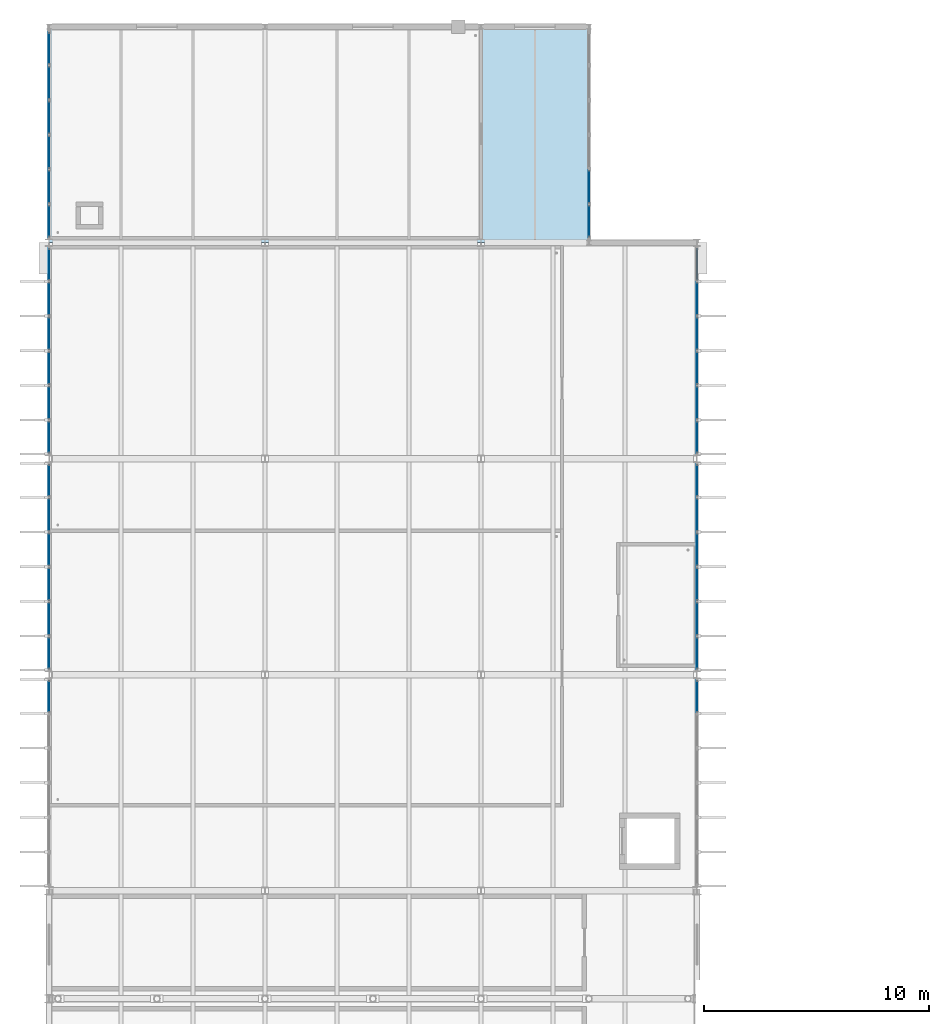
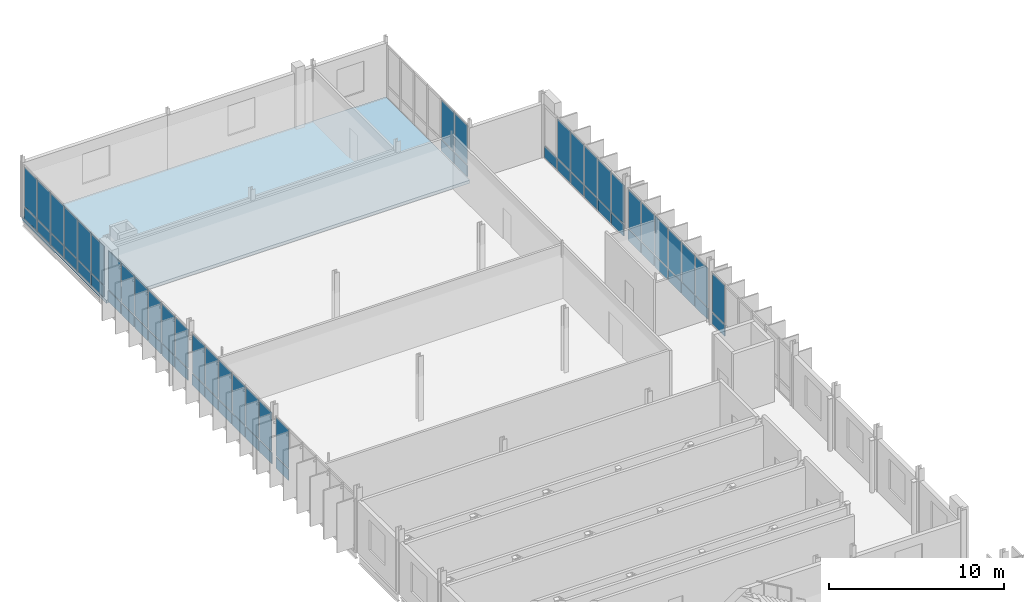
# One storey, part 55 of 110: 67 plates, 1 slab, 8 elements without a shape of their own.
"""IFC4 building model written with IfcOpenShell, lengths in metres."""

from ifc_helpers import new_model, si_unit, direction, frame, origin, origin_2d, place, context, subcontext, project, spatial, polyline, rectangle, outline, extrude, material, layer, layer_set, type_object, element, aggregate, save


model = new_model("IFC4")

# Units and contexts
model_context = context("Model", 3, precision=1e-05, world=origin(), true_north=direction((0.0, 1.0)))
body_context = subcontext(model_context, "Body", "Model", "MODEL_VIEW")
ifc_project = project(units=[si_unit("LENGTHUNIT", "METRE"), si_unit("AREAUNIT", "SQUARE_METRE"), si_unit("VOLUMEUNIT", "CUBIC_METRE"), si_unit("PLANEANGLEUNIT", "RADIAN"), si_unit("MASSUNIT", "GRAM", prefix="KILO")], contexts=[model_context])

# Site, building, storey
site_placement = place(None, origin())
site = spatial("IfcSite", under=ifc_project, at=site_placement, CompositionType="ELEMENT")
building_placement = place(site_placement, origin())
building = spatial("IfcBuilding", under=site, at=building_placement, Name="Dunescarp Central Library", CompositionType="ELEMENT")
storey_placement = place(building_placement, frame((0.0, 0.0, 9.60009765625)))
storey = spatial("IfcBuildingStorey", under=building, at=storey_placement, Name="L02", CompositionType="ELEMENT", Elevation=9.60009765625)

# Curtain wall, plate
ifc_material_1 = material(Name="Marine-grade anodised aluminium 6063-T6", Category="aluminium")
curtain_wall_type = type_object("IfcCurtainWallType", Name="ARC-CW-STICK", PredefinedType="NOTDEFINED", material=ifc_material_1)
curtain_wall_1_placement = place(storey_placement, origin())
curtain_wall_1 = element("IfcCurtainWall", 1, at=curtain_wall_1_placement, inside=storey, type_object=curtain_wall_type, Name="L02 curtain wall CW-V4-124", PredefinedType="NOTDEFINED")
ifc_material_2 = material(Name="Solar-control laminated double glazing", Category="glass")
ifc_layer_1 = layer(ifc_material_2, 0.028076171875)
ifc_layer_set_1 = layer_set([ifc_layer_1], Name="Solar-control laminated double glazing")
plate_type_1 = type_object("IfcPlateType", Name="ARC-PLT-GLZ28", PredefinedType="CURTAIN_PANEL", material=ifc_layer_set_1)
plate_1_placement = place(storey_placement, frame((0.0, 69.43408203125, 0.93994140625), z_axis=(0.0, 0.0, 1.0), x_axis=(0.0, 1.0, 0.0)))
plate_1 = element("IfcPlate", 2, at=plate_1_placement, type_object=plate_type_1, Name="CW-V4-124 panel 6.2", PredefinedType="CURTAIN_PANEL", context=body_context, shape_type="SweptSolid", body=[
    extrude(rectangle(XDim=1.421630859375, YDim=0.028076171875, at=origin_2d()), origin(), (0.0, 0.0, 1.0), 2.681884765625),
])

curtain_wall_2_placement = place(storey_placement, origin())
curtain_wall_2 = element("IfcCurtainWall", 3, at=curtain_wall_2_placement, inside=storey, type_object=curtain_wall_type, Name="L02 curtain wall CW-V4-125", PredefinedType="NOTDEFINED")
plate_2_placement = place(storey_placement, frame((28.800048828125, 69.43408203125, 0.93994140625), z_axis=(0.0, 0.0, 1.0), x_axis=(0.0, -1.0, 0.0)))
plate_2 = element("IfcPlate", 4, at=plate_2_placement, type_object=plate_type_1, Name="CW-V4-125 panel 1.2", PredefinedType="CURTAIN_PANEL", context=body_context, shape_type="SweptSolid", body=[
    extrude(rectangle(XDim=1.421630859375, YDim=0.028076171875, at=origin_2d()), origin(), (0.0, 0.0, 1.0), 2.681884765625),
])

# Curtain wall, plates
curtain_wall_3_placement = place(storey_placement, origin())
curtain_wall_3 = element("IfcCurtainWall", 5, at=curtain_wall_3_placement, inside=storey, type_object=curtain_wall_type, Name="L02 curtain wall CW-V4-126", PredefinedType="NOTDEFINED")
plate_3_placement = place(storey_placement, frame((0.0, 71.36572265625, 0.93994140625), z_axis=(0.0, 0.0, 1.0), x_axis=(0.0, 1.0, 0.0)))
plate_3 = element("IfcPlate", 6, at=plate_3_placement, type_object=plate_type_1, Name="CW-V4-126 panel 1.2", PredefinedType="CURTAIN_PANEL", context=body_context, shape_type="SweptSolid", body=[
    extrude(rectangle(XDim=1.421630859375, YDim=0.028076171875, at=origin_2d()), origin(), (0.0, 0.0, 1.0), 2.715087890625),
])
plate_4_placement = place(storey_placement, frame((0.0, 72.887451171875, 0.93994140625), z_axis=(0.0, 0.0, 1.0), x_axis=(0.0, 1.0, 0.0)))
plate_4 = element("IfcPlate", 7, at=plate_4_placement, type_object=plate_type_1, Name="CW-V4-126 panel 2.2", PredefinedType="CURTAIN_PANEL", context=body_context, shape_type="SweptSolid", body=[
    extrude(rectangle(XDim=1.461669921875, YDim=0.028076171875, at=origin_2d()), origin(), (0.0, 0.0, 1.0), 2.715087890625),
])
plate_5_placement = place(storey_placement, frame((0.0, 74.42919921875, 0.93994140625), z_axis=(0.0, 0.0, 1.0), x_axis=(0.0, 1.0, 0.0)))
plate_5 = element("IfcPlate", 8, at=plate_5_placement, type_object=plate_type_1, Name="CW-V4-126 panel 3.2", PredefinedType="CURTAIN_PANEL", context=body_context, shape_type="SweptSolid", body=[
    extrude(rectangle(XDim=1.461669921875, YDim=0.028076171875, at=origin_2d()), origin(), (0.0, 0.0, 1.0), 2.715087890625),
])
plate_6_placement = place(storey_placement, frame((0.0, 75.970947265625, 0.93994140625), z_axis=(0.0, 0.0, 1.0), x_axis=(0.0, 1.0, 0.0)))
plate_6 = element("IfcPlate", 9, at=plate_6_placement, type_object=plate_type_1, Name="CW-V4-126 panel 4.2", PredefinedType="CURTAIN_PANEL", context=body_context, shape_type="SweptSolid", body=[
    extrude(rectangle(XDim=1.461669921875, YDim=0.028076171875, at=origin_2d()), origin(), (0.0, 0.0, 1.0), 2.715087890625),
])
plate_7_placement = place(storey_placement, frame((0.0, 77.512451171875, 0.93994140625), z_axis=(0.0, 0.0, 1.0), x_axis=(0.0, 1.0, 0.0)))
plate_7 = element("IfcPlate", 10, at=plate_7_placement, type_object=plate_type_1, Name="CW-V4-126 panel 5.2", PredefinedType="CURTAIN_PANEL", context=body_context, shape_type="SweptSolid", body=[
    extrude(rectangle(XDim=1.461669921875, YDim=0.028076171875, at=origin_2d()), origin(), (0.0, 0.0, 1.0), 2.715087890625),
])
plate_8_placement = place(storey_placement, frame((0.0, 79.0341796875, 0.93994140625), z_axis=(0.0, 0.0, 1.0), x_axis=(0.0, 1.0, 0.0)))
plate_8 = element("IfcPlate", 11, at=plate_8_placement, type_object=plate_type_1, Name="CW-V4-126 panel 6.2", PredefinedType="CURTAIN_PANEL", context=body_context, shape_type="SweptSolid", body=[
    extrude(rectangle(XDim=1.421630859375, YDim=0.028076171875, at=origin_2d()), origin(), (0.0, 0.0, 1.0), 2.715087890625),
])

curtain_wall_4_placement = place(storey_placement, origin())
curtain_wall_4 = element("IfcCurtainWall", 12, at=curtain_wall_4_placement, inside=storey, type_object=curtain_wall_type, Name="L02 curtain wall CW-V4-127", PredefinedType="NOTDEFINED")
plate_9_placement = place(storey_placement, frame((28.800048828125, 79.0341796875, 0.93994140625), z_axis=(0.0, 0.0, 1.0), x_axis=(0.0, -1.0, 0.0)))
plate_9 = element("IfcPlate", 13, at=plate_9_placement, type_object=plate_type_1, Name="CW-V4-127 panel 1.2", PredefinedType="CURTAIN_PANEL", context=body_context, shape_type="SweptSolid", body=[
    extrude(rectangle(XDim=1.421630859375, YDim=0.028076171875, at=origin_2d()), origin(), (0.0, 0.0, 1.0), 2.715087890625),
])
plate_10_placement = place(storey_placement, frame((28.800048828125, 77.512451171875, 0.93994140625), z_axis=(0.0, 0.0, 1.0), x_axis=(0.0, -1.0, 0.0)))
plate_10 = element("IfcPlate", 14, at=plate_10_placement, type_object=plate_type_1, Name="CW-V4-127 panel 2.2", PredefinedType="CURTAIN_PANEL", context=body_context, shape_type="SweptSolid", body=[
    extrude(rectangle(XDim=1.461669921875, YDim=0.028076171875, at=origin_2d()), origin(), (0.0, 0.0, 1.0), 2.715087890625),
])
plate_11_placement = place(storey_placement, frame((28.800048828125, 75.970947265625, 0.93994140625), z_axis=(0.0, 0.0, 1.0), x_axis=(0.0, -1.0, 0.0)))
plate_11 = element("IfcPlate", 15, at=plate_11_placement, type_object=plate_type_1, Name="CW-V4-127 panel 3.2", PredefinedType="CURTAIN_PANEL", context=body_context, shape_type="SweptSolid", body=[
    extrude(rectangle(XDim=1.461669921875, YDim=0.028076171875, at=origin_2d()), origin(), (0.0, 0.0, 1.0), 2.715087890625),
])
plate_12_placement = place(storey_placement, frame((28.800048828125, 74.42919921875, 0.93994140625), z_axis=(0.0, 0.0, 1.0), x_axis=(0.0, -1.0, 0.0)))
plate_12 = element("IfcPlate", 16, at=plate_12_placement, type_object=plate_type_1, Name="CW-V4-127 panel 4.2", PredefinedType="CURTAIN_PANEL", context=body_context, shape_type="SweptSolid", body=[
    extrude(rectangle(XDim=1.461669921875, YDim=0.028076171875, at=origin_2d()), origin(), (0.0, 0.0, 1.0), 2.715087890625),
])
plate_13_placement = place(storey_placement, frame((28.800048828125, 72.887451171875, 0.93994140625), z_axis=(0.0, 0.0, 1.0), x_axis=(0.0, -1.0, 0.0)))
plate_13 = element("IfcPlate", 17, at=plate_13_placement, type_object=plate_type_1, Name="CW-V4-127 panel 5.2", PredefinedType="CURTAIN_PANEL", context=body_context, shape_type="SweptSolid", body=[
    extrude(rectangle(XDim=1.461669921875, YDim=0.028076171875, at=origin_2d()), origin(), (0.0, 0.0, 1.0), 2.715087890625),
])
plate_14_placement = place(storey_placement, frame((28.800048828125, 71.36572265625, 0.93994140625), z_axis=(0.0, 0.0, 1.0), x_axis=(0.0, -1.0, 0.0)))
plate_14 = element("IfcPlate", 18, at=plate_14_placement, type_object=plate_type_1, Name="CW-V4-127 panel 6.2", PredefinedType="CURTAIN_PANEL", context=body_context, shape_type="SweptSolid", body=[
    extrude(rectangle(XDim=1.421630859375, YDim=0.028076171875, at=origin_2d()), origin(), (0.0, 0.0, 1.0), 2.715087890625),
])

curtain_wall_5_placement = place(storey_placement, origin())
curtain_wall_5 = element("IfcCurtainWall", 19, at=curtain_wall_5_placement, inside=storey, type_object=curtain_wall_type, Name="L02 curtain wall CW-V4-128", PredefinedType="NOTDEFINED")
plate_15_placement = place(storey_placement, frame((0.0, 80.9658203125, 0.93994140625), z_axis=(0.0, 0.0, 1.0), x_axis=(0.0, 1.0, 0.0)))
plate_15 = element("IfcPlate", 20, at=plate_15_placement, type_object=plate_type_1, Name="CW-V4-128 panel 1.2", PredefinedType="CURTAIN_PANEL", context=body_context, shape_type="SweptSolid", body=[
    extrude(rectangle(XDim=1.421630859375, YDim=0.028076171875, at=origin_2d()), origin(), (0.0, 0.0, 1.0), 2.715087890625),
])
plate_16_placement = place(storey_placement, frame((0.0, 82.487548828125, 0.93994140625), z_axis=(0.0, 0.0, 1.0), x_axis=(0.0, 1.0, 0.0)))
plate_16 = element("IfcPlate", 21, at=plate_16_placement, type_object=plate_type_1, Name="CW-V4-128 panel 2.2", PredefinedType="CURTAIN_PANEL", context=body_context, shape_type="SweptSolid", body=[
    extrude(rectangle(XDim=1.461669921875, YDim=0.028076171875, at=origin_2d()), origin(), (0.0, 0.0, 1.0), 2.715087890625),
])
plate_17_placement = place(storey_placement, frame((0.0, 84.029052734375, 0.93994140625), z_axis=(0.0, 0.0, 1.0), x_axis=(0.0, 1.0, 0.0)))
plate_17 = element("IfcPlate", 22, at=plate_17_placement, type_object=plate_type_1, Name="CW-V4-128 panel 3.2", PredefinedType="CURTAIN_PANEL", context=body_context, shape_type="SweptSolid", body=[
    extrude(rectangle(XDim=1.461669921875, YDim=0.028076171875, at=origin_2d()), origin(), (0.0, 0.0, 1.0), 2.715087890625),
])
plate_18_placement = place(storey_placement, frame((0.0, 85.57080078125, 0.93994140625), z_axis=(0.0, 0.0, 1.0), x_axis=(0.0, 1.0, 0.0)))
plate_18 = element("IfcPlate", 23, at=plate_18_placement, type_object=plate_type_1, Name="CW-V4-128 panel 4.2", PredefinedType="CURTAIN_PANEL", context=body_context, shape_type="SweptSolid", body=[
    extrude(rectangle(XDim=1.461669921875, YDim=0.028076171875, at=origin_2d()), origin(), (0.0, 0.0, 1.0), 2.715087890625),
])
plate_19_placement = place(storey_placement, frame((0.0, 87.112548828125, 0.93994140625), z_axis=(0.0, 0.0, 1.0), x_axis=(0.0, 1.0, 0.0)))
plate_19 = element("IfcPlate", 24, at=plate_19_placement, type_object=plate_type_1, Name="CW-V4-128 panel 5.2", PredefinedType="CURTAIN_PANEL", context=body_context, shape_type="SweptSolid", body=[
    extrude(rectangle(XDim=1.461669921875, YDim=0.028076171875, at=origin_2d()), origin(), (0.0, 0.0, 1.0), 2.715087890625),
])
plate_20_placement = place(storey_placement, frame((0.0, 88.63427734375, 0.93994140625), z_axis=(0.0, 0.0, 1.0), x_axis=(0.0, 1.0, 0.0)))
plate_20 = element("IfcPlate", 25, at=plate_20_placement, type_object=plate_type_1, Name="CW-V4-128 panel 6.2", PredefinedType="CURTAIN_PANEL", context=body_context, shape_type="SweptSolid", body=[
    extrude(rectangle(XDim=1.421630859375, YDim=0.028076171875, at=origin_2d()), origin(), (0.0, 0.0, 1.0), 2.715087890625),
])

curtain_wall_6_placement = place(storey_placement, origin())
curtain_wall_6 = element("IfcCurtainWall", 26, at=curtain_wall_6_placement, inside=storey, type_object=curtain_wall_type, Name="L02 curtain wall CW-V4-129", PredefinedType="NOTDEFINED")
plate_21_placement = place(storey_placement, frame((28.800048828125, 87.112548828125, 0.93994140625), z_axis=(0.0, 0.0, 1.0), x_axis=(0.0, -1.0, 0.0)))
plate_21 = element("IfcPlate", 27, at=plate_21_placement, type_object=plate_type_1, Name="CW-V4-129 panel 2.2", PredefinedType="CURTAIN_PANEL", context=body_context, shape_type="SweptSolid", body=[
    extrude(rectangle(XDim=1.461669921875, YDim=0.028076171875, at=origin_2d()), origin(), (0.0, 0.0, 1.0), 2.715087890625),
])
plate_22_placement = place(storey_placement, frame((28.800048828125, 85.57080078125, 0.93994140625), z_axis=(0.0, 0.0, 1.0), x_axis=(0.0, -1.0, 0.0)))
plate_22 = element("IfcPlate", 28, at=plate_22_placement, type_object=plate_type_1, Name="CW-V4-129 panel 3.2", PredefinedType="CURTAIN_PANEL", context=body_context, shape_type="SweptSolid", body=[
    extrude(rectangle(XDim=1.461669921875, YDim=0.028076171875, at=origin_2d()), origin(), (0.0, 0.0, 1.0), 2.715087890625),
])
plate_23_placement = place(storey_placement, frame((28.800048828125, 84.029052734375, 0.93994140625), z_axis=(0.0, 0.0, 1.0), x_axis=(0.0, -1.0, 0.0)))
plate_23 = element("IfcPlate", 29, at=plate_23_placement, type_object=plate_type_1, Name="CW-V4-129 panel 4.2", PredefinedType="CURTAIN_PANEL", context=body_context, shape_type="SweptSolid", body=[
    extrude(rectangle(XDim=1.461669921875, YDim=0.028076171875, at=origin_2d()), origin(), (0.0, 0.0, 1.0), 2.715087890625),
])
plate_24_placement = place(storey_placement, frame((28.800048828125, 82.487548828125, 0.93994140625), z_axis=(0.0, 0.0, 1.0), x_axis=(0.0, -1.0, 0.0)))
plate_24 = element("IfcPlate", 30, at=plate_24_placement, type_object=plate_type_1, Name="CW-V4-129 panel 5.2", PredefinedType="CURTAIN_PANEL", context=body_context, shape_type="SweptSolid", body=[
    extrude(rectangle(XDim=1.461669921875, YDim=0.028076171875, at=origin_2d()), origin(), (0.0, 0.0, 1.0), 2.715087890625),
])
plate_25_placement = place(storey_placement, frame((28.800048828125, 80.9658203125, 0.93994140625), z_axis=(0.0, 0.0, 1.0), x_axis=(0.0, -1.0, 0.0)))
plate_25 = element("IfcPlate", 31, at=plate_25_placement, type_object=plate_type_1, Name="CW-V4-129 panel 6.2", PredefinedType="CURTAIN_PANEL", context=body_context, shape_type="SweptSolid", body=[
    extrude(rectangle(XDim=1.421630859375, YDim=0.028076171875, at=origin_2d()), origin(), (0.0, 0.0, 1.0), 2.715087890625),
])

curtain_wall_7_placement = place(storey_placement, origin())
curtain_wall_7 = element("IfcCurtainWall", 32, at=curtain_wall_7_placement, inside=storey, type_object=curtain_wall_type, Name="L02 curtain wall CW-V4N-144", PredefinedType="NOTDEFINED")
plate_26_placement = place(storey_placement, frame((0.0, 90.56591796875, 0.93994140625), z_axis=(0.0, 0.0, 1.0), x_axis=(0.0, 1.0, 0.0)))
plate_26 = element("IfcPlate", 33, at=plate_26_placement, type_object=plate_type_1, Name="CW-V4N-144 panel 1.2", PredefinedType="CURTAIN_PANEL", context=body_context, shape_type="SweptSolid", body=[
    extrude(rectangle(XDim=1.421630859375, YDim=0.028076171875, at=origin_2d()), origin(), (0.0, 0.0, 1.0), 2.715087890625),
])
plate_27_placement = place(storey_placement, frame((0.0, 92.08740234375, 0.93994140625), z_axis=(0.0, 0.0, 1.0), x_axis=(0.0, 1.0, 0.0)))
plate_27 = element("IfcPlate", 34, at=plate_27_placement, type_object=plate_type_1, Name="CW-V4N-144 panel 2.2", PredefinedType="CURTAIN_PANEL", context=body_context, shape_type="SweptSolid", body=[
    extrude(rectangle(XDim=1.461669921875, YDim=0.028076171875, at=origin_2d()), origin(), (0.0, 0.0, 1.0), 2.715087890625),
])
plate_28_placement = place(storey_placement, frame((0.0, 93.629150390625, 0.93994140625), z_axis=(0.0, 0.0, 1.0), x_axis=(0.0, 1.0, 0.0)))
plate_28 = element("IfcPlate", 35, at=plate_28_placement, type_object=plate_type_1, Name="CW-V4N-144 panel 3.2", PredefinedType="CURTAIN_PANEL", context=body_context, shape_type="SweptSolid", body=[
    extrude(rectangle(XDim=1.461669921875, YDim=0.028076171875, at=origin_2d()), origin(), (0.0, 0.0, 1.0), 2.715087890625),
])
plate_29_placement = place(storey_placement, frame((0.0, 95.1708984375, 0.93994140625), z_axis=(0.0, 0.0, 1.0), x_axis=(0.0, 1.0, 0.0)))
plate_29 = element("IfcPlate", 36, at=plate_29_placement, type_object=plate_type_1, Name="CW-V4N-144 panel 4.2", PredefinedType="CURTAIN_PANEL", context=body_context, shape_type="SweptSolid", body=[
    extrude(rectangle(XDim=1.461669921875, YDim=0.028076171875, at=origin_2d()), origin(), (0.0, 0.0, 1.0), 2.715087890625),
])
plate_30_placement = place(storey_placement, frame((0.0, 96.71240234375, 0.93994140625), z_axis=(0.0, 0.0, 1.0), x_axis=(0.0, 1.0, 0.0)))
plate_30 = element("IfcPlate", 37, at=plate_30_placement, type_object=plate_type_1, Name="CW-V4N-144 panel 5.2", PredefinedType="CURTAIN_PANEL", context=body_context, shape_type="SweptSolid", body=[
    extrude(rectangle(XDim=1.461669921875, YDim=0.028076171875, at=origin_2d()), origin(), (0.0, 0.0, 1.0), 2.715087890625),
])
plate_31_placement = place(storey_placement, frame((0.0, 98.234130859375, 0.93994140625), z_axis=(0.0, 0.0, 1.0), x_axis=(0.0, 1.0, 0.0)))
plate_31 = element("IfcPlate", 38, at=plate_31_placement, type_object=plate_type_1, Name="CW-V4N-144 panel 6.2", PredefinedType="CURTAIN_PANEL", context=body_context, shape_type="SweptSolid", body=[
    extrude(rectangle(XDim=1.421630859375, YDim=0.028076171875, at=origin_2d()), origin(), (0.0, 0.0, 1.0), 2.715087890625),
])

curtain_wall_8_placement = place(storey_placement, origin())
curtain_wall_8 = element("IfcCurtainWall", 39, at=curtain_wall_8_placement, inside=storey, type_object=curtain_wall_type, Name="L02 curtain wall CW-V4N-145", PredefinedType="NOTDEFINED")
plate_32_placement = place(storey_placement, frame((24.0, 92.08740234375, 0.93994140625), z_axis=(0.0, 0.0, 1.0), x_axis=(0.0, -1.0, 0.0)))
plate_32 = element("IfcPlate", 40, at=plate_32_placement, type_object=plate_type_1, Name="CW-V4N-145 panel 5.2", PredefinedType="CURTAIN_PANEL", context=body_context, shape_type="SweptSolid", body=[
    extrude(rectangle(XDim=1.461669921875, YDim=0.028076171875, at=origin_2d()), origin(), (0.0, 0.0, 1.0), 2.715087890625),
])
plate_33_placement = place(storey_placement, frame((24.0, 90.56591796875, 0.93994140625), z_axis=(0.0, 0.0, 1.0), x_axis=(0.0, -1.0, 0.0)))
plate_33 = element("IfcPlate", 41, at=plate_33_placement, type_object=plate_type_1, Name="CW-V4N-145 panel 6.2", PredefinedType="CURTAIN_PANEL", context=body_context, shape_type="SweptSolid", body=[
    extrude(rectangle(XDim=1.421630859375, YDim=0.028076171875, at=origin_2d()), origin(), (0.0, 0.0, 1.0), 2.715087890625),
])

# Plate
ifc_layer_2 = layer(ifc_material_1, 0.050048828125)
ifc_layer_set_2 = layer_set([ifc_layer_2], Name="Marine-grade anodised aluminium 6063-T6")
plate_type_2 = type_object("IfcPlateType", Name="ARC-PLT-SPN50", PredefinedType="SHEET", material=ifc_layer_set_2)
plate_34_placement = place(storey_placement, frame((0.0, 69.43408203125, 0.080078125), z_axis=(0.0, 0.0, 1.0), x_axis=(0.0, 1.0, 0.0)))
plate_34 = element("IfcPlate", 42, at=plate_34_placement, type_object=plate_type_2, Name="CW-V4-124 panel 6.1", PredefinedType="SHEET", context=body_context, shape_type="SweptSolid", body=[
    extrude(rectangle(XDim=1.421630859375, YDim=0.050048828125, at=origin_2d()), origin(), (0.0, 0.0, 1.0), 0.780029296875),
])

aggregate(curtain_wall_1, [plate_34, plate_1])

plate_35_placement = place(storey_placement, frame((28.800048828125, 69.43408203125, 0.080078125), z_axis=(0.0, 0.0, 1.0), x_axis=(0.0, -1.0, 0.0)))
plate_35 = element("IfcPlate", 43, at=plate_35_placement, type_object=plate_type_2, Name="CW-V4-125 panel 1.1", PredefinedType="SHEET", context=body_context, shape_type="SweptSolid", body=[
    extrude(rectangle(XDim=1.421630859375, YDim=0.050048828125, at=origin_2d()), origin(), (0.0, 0.0, 1.0), 0.780029296875),
])

aggregate(curtain_wall_2, [plate_35, plate_2])

plate_36_placement = place(storey_placement, frame((0.0, 71.36572265625, 0.080078125), z_axis=(0.0, 0.0, 1.0), x_axis=(0.0, 1.0, 0.0)))
plate_36 = element("IfcPlate", 44, at=plate_36_placement, type_object=plate_type_2, Name="CW-V4-126 panel 1.1", PredefinedType="SHEET", context=body_context, shape_type="SweptSolid", body=[
    extrude(rectangle(XDim=1.421630859375, YDim=0.050048828125, at=origin_2d()), origin(), (0.0, 0.0, 1.0), 0.780029296875),
])

plate_37_placement = place(storey_placement, frame((0.0, 72.887451171875, 0.080078125), z_axis=(0.0, 0.0, 1.0), x_axis=(0.0, 1.0, 0.0)))
plate_37 = element("IfcPlate", 45, at=plate_37_placement, type_object=plate_type_2, Name="CW-V4-126 panel 2.1", PredefinedType="SHEET", context=body_context, shape_type="SweptSolid", body=[
    extrude(rectangle(XDim=1.461669921875, YDim=0.050048828125, at=origin_2d()), origin(), (0.0, 0.0, 1.0), 0.780029296875),
])

plate_38_placement = place(storey_placement, frame((0.0, 74.42919921875, 0.080078125), z_axis=(0.0, 0.0, 1.0), x_axis=(0.0, 1.0, 0.0)))
plate_38 = element("IfcPlate", 46, at=plate_38_placement, type_object=plate_type_2, Name="CW-V4-126 panel 3.1", PredefinedType="SHEET", context=body_context, shape_type="SweptSolid", body=[
    extrude(rectangle(XDim=1.461669921875, YDim=0.050048828125, at=origin_2d()), origin(), (0.0, 0.0, 1.0), 0.780029296875),
])

plate_39_placement = place(storey_placement, frame((0.0, 75.970947265625, 0.080078125), z_axis=(0.0, 0.0, 1.0), x_axis=(0.0, 1.0, 0.0)))
plate_39 = element("IfcPlate", 47, at=plate_39_placement, type_object=plate_type_2, Name="CW-V4-126 panel 4.1", PredefinedType="SHEET", context=body_context, shape_type="SweptSolid", body=[
    extrude(rectangle(XDim=1.461669921875, YDim=0.050048828125, at=origin_2d()), origin(), (0.0, 0.0, 1.0), 0.780029296875),
])

plate_40_placement = place(storey_placement, frame((0.0, 77.512451171875, 0.080078125), z_axis=(0.0, 0.0, 1.0), x_axis=(0.0, 1.0, 0.0)))
plate_40 = element("IfcPlate", 48, at=plate_40_placement, type_object=plate_type_2, Name="CW-V4-126 panel 5.1", PredefinedType="SHEET", context=body_context, shape_type="SweptSolid", body=[
    extrude(rectangle(XDim=1.461669921875, YDim=0.050048828125, at=origin_2d()), origin(), (0.0, 0.0, 1.0), 0.780029296875),
])

plate_41_placement = place(storey_placement, frame((0.0, 79.0341796875, 0.080078125), z_axis=(0.0, 0.0, 1.0), x_axis=(0.0, 1.0, 0.0)))
plate_41 = element("IfcPlate", 49, at=plate_41_placement, type_object=plate_type_2, Name="CW-V4-126 panel 6.1", PredefinedType="SHEET", context=body_context, shape_type="SweptSolid", body=[
    extrude(rectangle(XDim=1.421630859375, YDim=0.050048828125, at=origin_2d()), origin(), (0.0, 0.0, 1.0), 0.780029296875),
])

aggregate(curtain_wall_3, [plate_36, plate_3, plate_37, plate_4, plate_38, plate_5, plate_39, plate_6, plate_40, plate_7, plate_41, plate_8])

plate_42_placement = place(storey_placement, frame((28.800048828125, 79.0341796875, 0.080078125), z_axis=(0.0, 0.0, 1.0), x_axis=(0.0, -1.0, 0.0)))
plate_42 = element("IfcPlate", 50, at=plate_42_placement, type_object=plate_type_2, Name="CW-V4-127 panel 1.1", PredefinedType="SHEET", context=body_context, shape_type="SweptSolid", body=[
    extrude(rectangle(XDim=1.421630859375, YDim=0.050048828125, at=origin_2d()), origin(), (0.0, 0.0, 1.0), 0.780029296875),
])

plate_43_placement = place(storey_placement, frame((28.800048828125, 77.512451171875, 0.080078125), z_axis=(0.0, 0.0, 1.0), x_axis=(0.0, -1.0, 0.0)))
plate_43 = element("IfcPlate", 51, at=plate_43_placement, type_object=plate_type_2, Name="CW-V4-127 panel 2.1", PredefinedType="SHEET", context=body_context, shape_type="SweptSolid", body=[
    extrude(rectangle(XDim=1.461669921875, YDim=0.050048828125, at=origin_2d()), origin(), (0.0, 0.0, 1.0), 0.780029296875),
])

plate_44_placement = place(storey_placement, frame((28.800048828125, 75.970947265625, 0.080078125), z_axis=(0.0, 0.0, 1.0), x_axis=(0.0, -1.0, 0.0)))
plate_44 = element("IfcPlate", 52, at=plate_44_placement, type_object=plate_type_2, Name="CW-V4-127 panel 3.1", PredefinedType="SHEET", context=body_context, shape_type="SweptSolid", body=[
    extrude(rectangle(XDim=1.461669921875, YDim=0.050048828125, at=origin_2d()), origin(), (0.0, 0.0, 1.0), 0.780029296875),
])

plate_45_placement = place(storey_placement, frame((28.800048828125, 74.42919921875, 0.080078125), z_axis=(0.0, 0.0, 1.0), x_axis=(0.0, -1.0, 0.0)))
plate_45 = element("IfcPlate", 53, at=plate_45_placement, type_object=plate_type_2, Name="CW-V4-127 panel 4.1", PredefinedType="SHEET", context=body_context, shape_type="SweptSolid", body=[
    extrude(rectangle(XDim=1.461669921875, YDim=0.050048828125, at=origin_2d()), origin(), (0.0, 0.0, 1.0), 0.780029296875),
])

plate_46_placement = place(storey_placement, frame((28.800048828125, 72.887451171875, 0.080078125), z_axis=(0.0, 0.0, 1.0), x_axis=(0.0, -1.0, 0.0)))
plate_46 = element("IfcPlate", 54, at=plate_46_placement, type_object=plate_type_2, Name="CW-V4-127 panel 5.1", PredefinedType="SHEET", context=body_context, shape_type="SweptSolid", body=[
    extrude(rectangle(XDim=1.461669921875, YDim=0.050048828125, at=origin_2d()), origin(), (0.0, 0.0, 1.0), 0.780029296875),
])

plate_47_placement = place(storey_placement, frame((28.800048828125, 71.36572265625, 0.080078125), z_axis=(0.0, 0.0, 1.0), x_axis=(0.0, -1.0, 0.0)))
plate_47 = element("IfcPlate", 55, at=plate_47_placement, type_object=plate_type_2, Name="CW-V4-127 panel 6.1", PredefinedType="SHEET", context=body_context, shape_type="SweptSolid", body=[
    extrude(rectangle(XDim=1.421630859375, YDim=0.050048828125, at=origin_2d()), origin(), (0.0, 0.0, 1.0), 0.780029296875),
])

aggregate(curtain_wall_4, [plate_42, plate_9, plate_43, plate_10, plate_44, plate_11, plate_45, plate_12, plate_46, plate_13, plate_47, plate_14])

plate_48_placement = place(storey_placement, frame((0.0, 80.9658203125, 0.080078125), z_axis=(0.0, 0.0, 1.0), x_axis=(0.0, 1.0, 0.0)))
plate_48 = element("IfcPlate", 56, at=plate_48_placement, type_object=plate_type_2, Name="CW-V4-128 panel 1.1", PredefinedType="SHEET", context=body_context, shape_type="SweptSolid", body=[
    extrude(rectangle(XDim=1.421630859375, YDim=0.050048828125, at=origin_2d()), origin(), (0.0, 0.0, 1.0), 0.780029296875),
])

plate_49_placement = place(storey_placement, frame((0.0, 82.487548828125, 0.080078125), z_axis=(0.0, 0.0, 1.0), x_axis=(0.0, 1.0, 0.0)))
plate_49 = element("IfcPlate", 57, at=plate_49_placement, type_object=plate_type_2, Name="CW-V4-128 panel 2.1", PredefinedType="SHEET", context=body_context, shape_type="SweptSolid", body=[
    extrude(rectangle(XDim=1.461669921875, YDim=0.050048828125, at=origin_2d()), origin(), (0.0, 0.0, 1.0), 0.780029296875),
])

plate_50_placement = place(storey_placement, frame((0.0, 84.029052734375, 0.080078125), z_axis=(0.0, 0.0, 1.0), x_axis=(0.0, 1.0, 0.0)))
plate_50 = element("IfcPlate", 58, at=plate_50_placement, type_object=plate_type_2, Name="CW-V4-128 panel 3.1", PredefinedType="SHEET", context=body_context, shape_type="SweptSolid", body=[
    extrude(rectangle(XDim=1.461669921875, YDim=0.050048828125, at=origin_2d()), origin(), (0.0, 0.0, 1.0), 0.780029296875),
])

plate_51_placement = place(storey_placement, frame((0.0, 85.57080078125, 0.080078125), z_axis=(0.0, 0.0, 1.0), x_axis=(0.0, 1.0, 0.0)))
plate_51 = element("IfcPlate", 59, at=plate_51_placement, type_object=plate_type_2, Name="CW-V4-128 panel 4.1", PredefinedType="SHEET", context=body_context, shape_type="SweptSolid", body=[
    extrude(rectangle(XDim=1.461669921875, YDim=0.050048828125, at=origin_2d()), origin(), (0.0, 0.0, 1.0), 0.780029296875),
])

plate_52_placement = place(storey_placement, frame((0.0, 87.112548828125, 0.080078125), z_axis=(0.0, 0.0, 1.0), x_axis=(0.0, 1.0, 0.0)))
plate_52 = element("IfcPlate", 60, at=plate_52_placement, type_object=plate_type_2, Name="CW-V4-128 panel 5.1", PredefinedType="SHEET", context=body_context, shape_type="SweptSolid", body=[
    extrude(rectangle(XDim=1.461669921875, YDim=0.050048828125, at=origin_2d()), origin(), (0.0, 0.0, 1.0), 0.780029296875),
])

plate_53_placement = place(storey_placement, frame((0.0, 88.63427734375, 0.080078125), z_axis=(0.0, 0.0, 1.0), x_axis=(0.0, 1.0, 0.0)))
plate_53 = element("IfcPlate", 61, at=plate_53_placement, type_object=plate_type_2, Name="CW-V4-128 panel 6.1", PredefinedType="SHEET", context=body_context, shape_type="SweptSolid", body=[
    extrude(rectangle(XDim=1.421630859375, YDim=0.050048828125, at=origin_2d()), origin(), (0.0, 0.0, 1.0), 0.780029296875),
])

aggregate(curtain_wall_5, [plate_48, plate_15, plate_49, plate_16, plate_50, plate_17, plate_51, plate_18, plate_52, plate_19, plate_53, plate_20])

plate_54_placement = place(storey_placement, frame((28.800048828125, 88.63427734375, 0.080078125), z_axis=(0.0, 0.0, 1.0), x_axis=(0.0, -1.0, 0.0)))
plate_54 = element("IfcPlate", 62, at=plate_54_placement, type_object=plate_type_2, Name="CW-V4-129 panel 1.1", PredefinedType="SHEET", context=body_context, shape_type="SweptSolid", body=[
    extrude(rectangle(XDim=1.421630859375, YDim=0.050048828125, at=origin_2d()), origin(), (0.0, 0.0, 1.0), 0.780029296875),
])

plate_55_placement = place(storey_placement, frame((28.800048828125, 87.112548828125, 0.080078125), z_axis=(0.0, 0.0, 1.0), x_axis=(0.0, -1.0, 0.0)))
plate_55 = element("IfcPlate", 63, at=plate_55_placement, type_object=plate_type_2, Name="CW-V4-129 panel 2.1", PredefinedType="SHEET", context=body_context, shape_type="SweptSolid", body=[
    extrude(rectangle(XDim=1.461669921875, YDim=0.050048828125, at=origin_2d()), origin(), (0.0, 0.0, 1.0), 0.780029296875),
])

plate_56_placement = place(storey_placement, frame((28.800048828125, 85.57080078125, 0.080078125), z_axis=(0.0, 0.0, 1.0), x_axis=(0.0, -1.0, 0.0)))
plate_56 = element("IfcPlate", 64, at=plate_56_placement, type_object=plate_type_2, Name="CW-V4-129 panel 3.1", PredefinedType="SHEET", context=body_context, shape_type="SweptSolid", body=[
    extrude(rectangle(XDim=1.461669921875, YDim=0.050048828125, at=origin_2d()), origin(), (0.0, 0.0, 1.0), 0.780029296875),
])

plate_57_placement = place(storey_placement, frame((28.800048828125, 84.029052734375, 0.080078125), z_axis=(0.0, 0.0, 1.0), x_axis=(0.0, -1.0, 0.0)))
plate_57 = element("IfcPlate", 65, at=plate_57_placement, type_object=plate_type_2, Name="CW-V4-129 panel 4.1", PredefinedType="SHEET", context=body_context, shape_type="SweptSolid", body=[
    extrude(rectangle(XDim=1.461669921875, YDim=0.050048828125, at=origin_2d()), origin(), (0.0, 0.0, 1.0), 0.780029296875),
])

plate_58_placement = place(storey_placement, frame((28.800048828125, 82.487548828125, 0.080078125), z_axis=(0.0, 0.0, 1.0), x_axis=(0.0, -1.0, 0.0)))
plate_58 = element("IfcPlate", 66, at=plate_58_placement, type_object=plate_type_2, Name="CW-V4-129 panel 5.1", PredefinedType="SHEET", context=body_context, shape_type="SweptSolid", body=[
    extrude(rectangle(XDim=1.461669921875, YDim=0.050048828125, at=origin_2d()), origin(), (0.0, 0.0, 1.0), 0.780029296875),
])

plate_59_placement = place(storey_placement, frame((28.800048828125, 80.9658203125, 0.080078125), z_axis=(0.0, 0.0, 1.0), x_axis=(0.0, -1.0, 0.0)))
plate_59 = element("IfcPlate", 67, at=plate_59_placement, type_object=plate_type_2, Name="CW-V4-129 panel 6.1", PredefinedType="SHEET", context=body_context, shape_type="SweptSolid", body=[
    extrude(rectangle(XDim=1.421630859375, YDim=0.050048828125, at=origin_2d()), origin(), (0.0, 0.0, 1.0), 0.780029296875),
])

aggregate(curtain_wall_6, [plate_54, plate_55, plate_21, plate_56, plate_22, plate_57, plate_23, plate_58, plate_24, plate_59, plate_25])

plate_60_placement = place(storey_placement, frame((0.0, 90.56591796875, 0.080078125), z_axis=(0.0, 0.0, 1.0), x_axis=(0.0, 1.0, 0.0)))
plate_60 = element("IfcPlate", 68, at=plate_60_placement, type_object=plate_type_2, Name="CW-V4N-144 panel 1.1", PredefinedType="SHEET", context=body_context, shape_type="SweptSolid", body=[
    extrude(rectangle(XDim=1.421630859375, YDim=0.050048828125, at=origin_2d()), origin(), (0.0, 0.0, 1.0), 0.780029296875),
])

plate_61_placement = place(storey_placement, frame((0.0, 92.08740234375, 0.080078125), z_axis=(0.0, 0.0, 1.0), x_axis=(0.0, 1.0, 0.0)))
plate_61 = element("IfcPlate", 69, at=plate_61_placement, type_object=plate_type_2, Name="CW-V4N-144 panel 2.1", PredefinedType="SHEET", context=body_context, shape_type="SweptSolid", body=[
    extrude(rectangle(XDim=1.461669921875, YDim=0.050048828125, at=origin_2d()), origin(), (0.0, 0.0, 1.0), 0.780029296875),
])

plate_62_placement = place(storey_placement, frame((0.0, 93.629150390625, 0.080078125), z_axis=(0.0, 0.0, 1.0), x_axis=(0.0, 1.0, 0.0)))
plate_62 = element("IfcPlate", 70, at=plate_62_placement, type_object=plate_type_2, Name="CW-V4N-144 panel 3.1", PredefinedType="SHEET", context=body_context, shape_type="SweptSolid", body=[
    extrude(rectangle(XDim=1.461669921875, YDim=0.050048828125, at=origin_2d()), origin(), (0.0, 0.0, 1.0), 0.780029296875),
])

plate_63_placement = place(storey_placement, frame((0.0, 95.1708984375, 0.080078125), z_axis=(0.0, 0.0, 1.0), x_axis=(0.0, 1.0, 0.0)))
plate_63 = element("IfcPlate", 71, at=plate_63_placement, type_object=plate_type_2, Name="CW-V4N-144 panel 4.1", PredefinedType="SHEET", context=body_context, shape_type="SweptSolid", body=[
    extrude(rectangle(XDim=1.461669921875, YDim=0.050048828125, at=origin_2d()), origin(), (0.0, 0.0, 1.0), 0.780029296875),
])

plate_64_placement = place(storey_placement, frame((0.0, 96.71240234375, 0.080078125), z_axis=(0.0, 0.0, 1.0), x_axis=(0.0, 1.0, 0.0)))
plate_64 = element("IfcPlate", 72, at=plate_64_placement, type_object=plate_type_2, Name="CW-V4N-144 panel 5.1", PredefinedType="SHEET", context=body_context, shape_type="SweptSolid", body=[
    extrude(rectangle(XDim=1.461669921875, YDim=0.050048828125, at=origin_2d()), origin(), (0.0, 0.0, 1.0), 0.780029296875),
])

plate_65_placement = place(storey_placement, frame((0.0, 98.234130859375, 0.080078125), z_axis=(0.0, 0.0, 1.0), x_axis=(0.0, 1.0, 0.0)))
plate_65 = element("IfcPlate", 73, at=plate_65_placement, type_object=plate_type_2, Name="CW-V4N-144 panel 6.1", PredefinedType="SHEET", context=body_context, shape_type="SweptSolid", body=[
    extrude(rectangle(XDim=1.421630859375, YDim=0.050048828125, at=origin_2d()), origin(), (0.0, 0.0, 1.0), 0.780029296875),
])

aggregate(curtain_wall_7, [plate_60, plate_26, plate_61, plate_27, plate_62, plate_28, plate_63, plate_29, plate_64, plate_30, plate_65, plate_31])

plate_66_placement = place(storey_placement, frame((24.0, 92.08740234375, 0.080078125), z_axis=(0.0, 0.0, 1.0), x_axis=(0.0, -1.0, 0.0)))
plate_66 = element("IfcPlate", 74, at=plate_66_placement, type_object=plate_type_2, Name="CW-V4N-145 panel 5.1", PredefinedType="SHEET", context=body_context, shape_type="SweptSolid", body=[
    extrude(rectangle(XDim=1.461669921875, YDim=0.050048828125, at=origin_2d()), origin(), (0.0, 0.0, 1.0), 0.780029296875),
])

plate_67_placement = place(storey_placement, frame((24.0, 90.56591796875, 0.080078125), z_axis=(0.0, 0.0, 1.0), x_axis=(0.0, -1.0, 0.0)))
plate_67 = element("IfcPlate", 75, at=plate_67_placement, type_object=plate_type_2, Name="CW-V4N-145 panel 6.1", PredefinedType="SHEET", context=body_context, shape_type="SweptSolid", body=[
    extrude(rectangle(XDim=1.421630859375, YDim=0.050048828125, at=origin_2d()), origin(), (0.0, 0.0, 1.0), 0.780029296875),
])

aggregate(curtain_wall_8, [plate_66, plate_32, plate_67, plate_33])

# Slab
ifc_material_3 = material(Name="Concrete C35/45", Category="concrete")
ifc_layer_3 = layer(ifc_material_3, 0.2099609375)
ifc_layer_set_3 = layer_set([ifc_layer_3], Name="Concrete C35/45")
slab_type = type_object("IfcSlabType", Name="STR-SLB-READ210", PredefinedType="FLOOR", material=ifc_layer_set_3)
slab_placement = place(storey_placement, frame((0.0, 0.0, -0.210205078125)))
element("IfcSlab", 76, at=slab_placement, inside=storey, type_object=slab_type, Name="L02 V4N slab", PredefinedType="FLOOR", context=body_context, shape_type="SweptSolid", body=[
    extrude(outline(polyline([(0.0, 89.60009765625), (24.0, 89.60009765625), (24.0, 99.199951171875), (0.0, 99.199951171875), (0.0, 89.60009765625)]), holes=[polyline([(1.39990234375, 90.39990234375), (2.199951171875, 90.39990234375), (2.199951171875, 91.199951171875), (1.39990234375, 91.199951171875), (1.39990234375, 90.39990234375)])]), origin(), (0.0, 0.0, 1.0), 0.210205078125),
])

save(model, "model.ifc")
